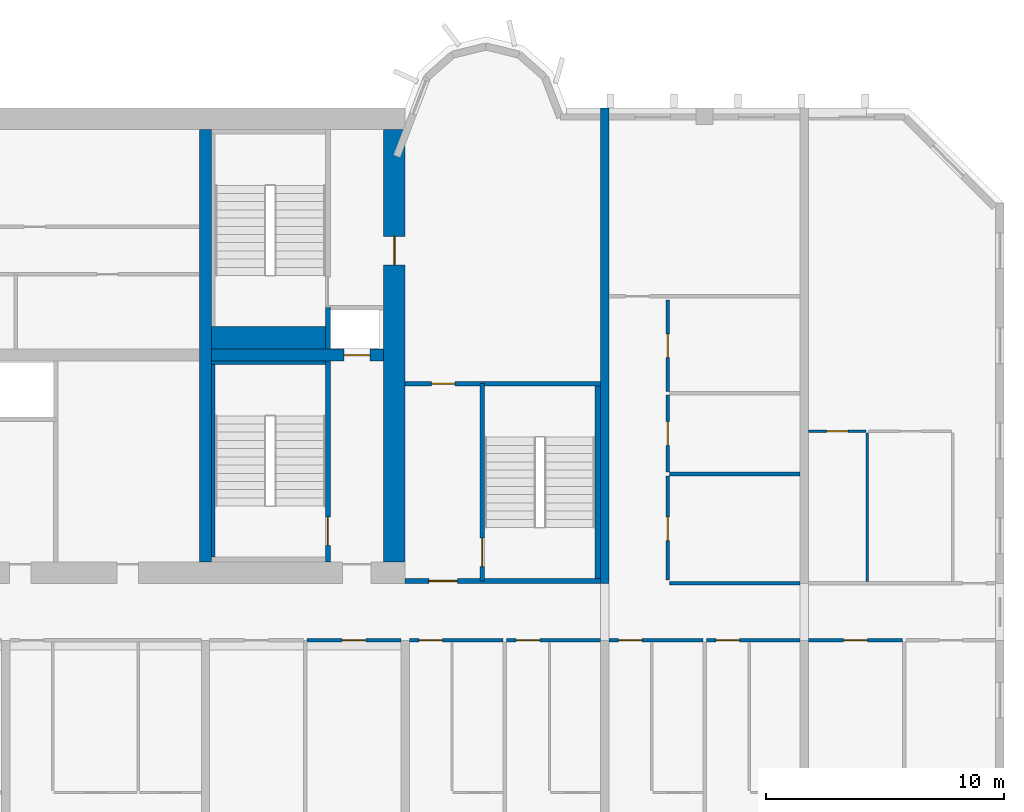
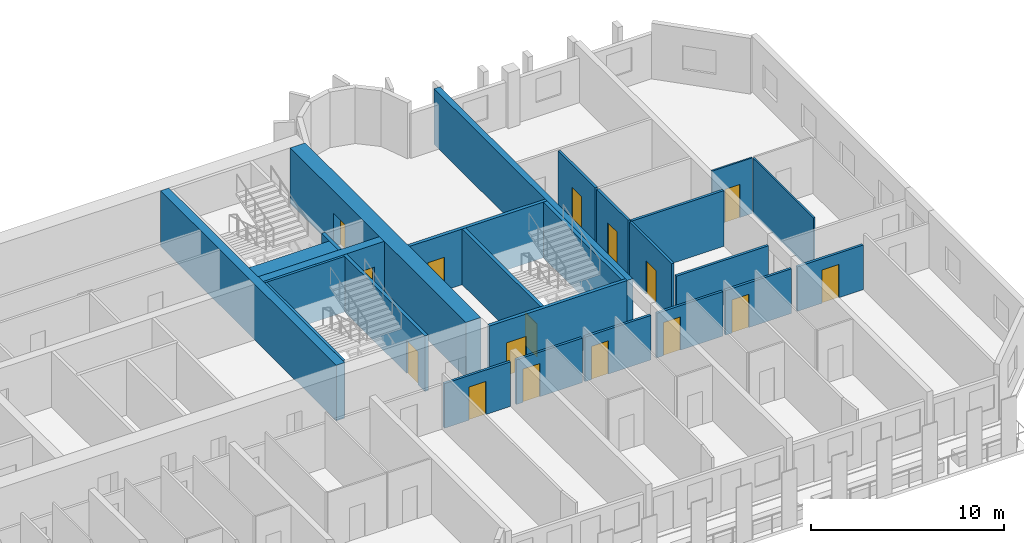
# One storey, part 9 of 14: 26 walls, 16 doors, 16 openings.
"""IFC4 building model written with IfcOpenShell, lengths in metres."""

from ifc_helpers import new_model, si_unit, direction, frame, frame_2d, origin, place, context, subcontext, project, spatial, rectangle, extrude, source, transform, mapped, material, layer, layer_set, type_object, element, fill, save


model = new_model("IFC4")

# Units and contexts
model_context = context("Model", 3, precision=1e-05, world=origin(), true_north=direction((0.0, 1.0)))
body_context = subcontext(model_context, "Body", "Model", "MODEL_VIEW")
ifc_project = project(units=[si_unit("LENGTHUNIT", "METRE"), si_unit("AREAUNIT", "SQUARE_METRE"), si_unit("VOLUMEUNIT", "CUBIC_METRE"), si_unit("PLANEANGLEUNIT", "RADIAN"), si_unit("MASSUNIT", "GRAM", prefix="KILO")], contexts=[model_context])

# Site, building, storey
site_placement = place(None, origin())
site = spatial("IfcSite", under=ifc_project, at=site_placement, CompositionType="ELEMENT")
building_placement = place(site_placement, origin())
building = spatial("IfcBuilding", under=site, at=building_placement, Name="Vanashikhar Sky Hotel", CompositionType="ELEMENT")
storey_placement = place(building_placement, frame((0.0, 0.0, 129.39990234375)))
storey = spatial("IfcBuildingStorey", under=building, at=storey_placement, Name="L31", CompositionType="ELEMENT", Elevation=129.39990234375)

# Wall, opening, door
ifc_material_1 = material(Name="Concrete M70", Category="concrete")
ifc_layer_1 = layer(ifc_material_1, 0.89990234375)
ifc_layer_set_1 = layer_set([ifc_layer_1], Name="RC core shell wall 900 Concrete M70")
wall_type_1 = type_object("IfcWallType", Name="RC core shell wall 900 Concrete M70", PredefinedType="SHEAR", material=ifc_layer_set_1)
shared_shape_1 = source(origin(), body_context, "Body", "SweptSolid", [
    extrude(rectangle(XDim=18.2001953125, YDim=0.89990234375, at=frame_2d((9.10009765625, 0.0))), origin(), (0.0, 0.0, 1.0), 3.52001953125),
])
wall_1_placement = place(storey_placement, frame((75.14990234375, 22.89990234375, 0.0), z_axis=(0.0, 0.0, 1.0), x_axis=(0.0, 1.0, 0.0)))
wall_1 = element("IfcWall", 1, at=wall_1_placement, inside=storey, type_object=wall_type_1, Name="KW-L31-KE", PredefinedType="SHEAR", context=body_context, shape_type="MappedRepresentation", body=[
    mapped(shared_shape_1, transform((0.0, 0.0, 0.0), scale=1.0)),
])
shared_shape_2 = source(origin(), body_context, "Body", "SweptSolid", [
    extrude(rectangle(XDim=1.199951171875, YDim=2.10009765625, at=frame_2d((0.60009765625, 1.050048828125))), frame((0.0, 0.4599609375, 0.0), z_axis=(0.0, -1.0, 0.0), x_axis=(1.0, 0.0, 0.0)), (0.0, 0.0, 1.0), 0.919921875),
])
opening_1_placement = place(wall_1_placement, frame((12.5, 0.0, 0.0)))
opening_1 = element("IfcOpeningElement", 2, at=opening_1_placement, cuts=wall_1, Name="Opening DC-4-D", PredefinedType="OPENING", context=body_context, shape_type="MappedRepresentation", body=[
    mapped(shared_shape_2, transform((0.0, 0.0, 0.0), scale=1.0)),
])
ifc_material_2 = material(Name="Steel", Category="steel")
door_type_1 = type_object("IfcDoorType", Name="Service door 1200 FD120", OperationType="NOTDEFINED", PredefinedType="DOOR", material=ifc_material_2)
shared_shape_3 = source(origin(), body_context, "Body", "SweptSolid", [
    extrude(rectangle(XDim=1.199951171875, YDim=2.10009765625, at=frame_2d((0.60009765625, 1.050048828125))), frame((0.0, 0.02490234375, 0.0), z_axis=(0.0, -1.0, 0.0), x_axis=(1.0, 0.0, 0.0)), (0.0, 0.0, 1.0), 0.050048828125),
])
door_1_placement = place(opening_1_placement, origin())
door_1 = element("IfcDoor", 3, at=door_1_placement, inside=storey, type_object=door_type_1, Name="Service door 1200 FD120", OperationType="SINGLE_SWING_LEFT", OverallHeight=2.10009765625, OverallWidth=1.199951171875, PredefinedType="DOOR", context=body_context, shape_type="MappedRepresentation", body=[
    mapped(shared_shape_3, transform((0.0, 0.0, 0.0), scale=1.0)),
])
fill(opening_1, door_1)

# Wall
ifc_layer_2 = layer(ifc_material_1, 0.5)
ifc_layer_set_2 = layer_set([ifc_layer_2], Name="RC core inner wall 500 Concrete M70")
wall_type_2 = type_object("IfcWallType", Name="RC core inner wall 500 Concrete M70", PredefinedType="SHEAR", material=ifc_layer_set_2)
shared_shape_4 = source(origin(), body_context, "Body", "SweptSolid", [
    extrude(rectangle(XDim=18.2001953125, YDim=0.5, at=frame_2d((9.10009765625, 0.0))), origin(), (0.0, 0.0, 1.0), 3.52001953125),
])
wall_2_placement = place(storey_placement, frame((67.199951171875, 22.89990234375, 0.0), z_axis=(0.0, 0.0, 1.0), x_axis=(0.0, 1.0, 0.0)))
element("IfcWall", 4, at=wall_2_placement, inside=storey, type_object=wall_type_2, Name="KW-L31-KX3", PredefinedType="SHEAR", context=body_context, shape_type="MappedRepresentation", body=[
    mapped(shared_shape_4, transform((0.0, 0.0, 0.0), scale=1.0)),
])

# Wall, opening, door
shared_shape_5 = source(origin(), body_context, "Body", "SweptSolid", [
    extrude(rectangle(XDim=7.25, YDim=0.5, at=frame_2d((3.625, 0.0))), origin(), (0.0, 0.0, 1.0), 3.52001953125),
])
wall_3_placement = place(storey_placement, frame((67.449951171875, 31.60009765625, 0.0), z_axis=(0.0, 0.0, 1.0), x_axis=(1.0, 0.0, 0.0)))
wall_3 = element("IfcWall", 5, at=wall_3_placement, inside=storey, type_object=wall_type_2, Name="KW-L31-KY4", PredefinedType="SHEAR", context=body_context, shape_type="MappedRepresentation", body=[
    mapped(shared_shape_5, transform((0.0, 0.0, 0.0), scale=1.0)),
])
shared_shape_6 = source(origin(), body_context, "Body", "SweptSolid", [
    extrude(rectangle(XDim=1.10009765625, YDim=2.10009765625, at=frame_2d((0.550048828125, 1.050048828125))), frame((0.0, 0.260009765625, 0.0), z_axis=(0.0, -1.0, 0.0), x_axis=(1.0, 0.0, 0.0)), (0.0, 0.0, 1.0), 0.52001953125),
])
opening_2_placement = place(wall_3_placement, frame((5.574951171875, 0.0, 0.0)))
opening_2 = element("IfcOpeningElement", 6, at=opening_2_placement, cuts=wall_3, Name="Opening LD", PredefinedType="OPENING", context=body_context, shape_type="MappedRepresentation", body=[
    mapped(shared_shape_6, transform((0.0, 0.0, 0.0), scale=1.0)),
])
ifc_material_3 = material(Name="Stainless steel", Category="steel")
door_type_2 = type_object("IfcDoorType", Name="Lift landing door 1100", OperationType="NOTDEFINED", PredefinedType="DOOR", material=ifc_material_3)
shared_shape_7 = source(origin(), body_context, "Body", "SweptSolid", [
    extrude(rectangle(XDim=1.10009765625, YDim=2.10009765625, at=frame_2d((0.550048828125, 1.050048828125))), frame((0.0, 0.02490234375, 0.0), z_axis=(0.0, -1.0, 0.0), x_axis=(1.0, 0.0, 0.0)), (0.0, 0.0, 1.0), 0.050048828125),
])
door_2_placement = place(opening_2_placement, origin())
door_2 = element("IfcDoor", 7, at=door_2_placement, inside=storey, type_object=door_type_2, Name="Lift landing door 1100", OperationType="SLIDING_TO_LEFT", OverallHeight=2.10009765625, OverallWidth=1.10009765625, PredefinedType="DOOR", context=body_context, shape_type="MappedRepresentation", body=[
    mapped(shared_shape_7, transform((0.0, 0.0, 0.0), scale=1.0)),
])
fill(opening_2, door_2)

# Wall
ifc_layer_3 = layer(ifc_material_1, 0.35009765625)
ifc_layer_set_3 = layer_set([ifc_layer_3], Name="RC shear wall 350 Concrete M70")
wall_type_3 = type_object("IfcWallType", Name="RC shear wall 350 Concrete M70", PredefinedType="SHEAR", material=ifc_layer_set_3)
shared_shape_8 = source(origin(), body_context, "Body", "SweptSolid", [
    extrude(rectangle(XDim=20.0, YDim=0.35009765625, at=frame_2d((10.0, 0.0))), origin(), (0.0, 0.0, 1.0), 3.52001953125),
])
wall_4_placement = place(storey_placement, frame((84.0, 22.0, 0.0), z_axis=(0.0, 0.0, 1.0), x_axis=(0.0, 1.0, 0.0)))
element("IfcWall", 8, at=wall_4_placement, inside=storey, type_object=wall_type_3, Name="CW-L31-XW11-2", PredefinedType="SHEAR", context=body_context, shape_type="MappedRepresentation", body=[
    mapped(shared_shape_8, transform((0.0, 0.0, 0.0), scale=1.0)),
])

# Wall, opening, door
ifc_material_4 = material(Name="Concrete M50", Category="concrete")
ifc_layer_4 = layer(ifc_material_4, 0.199951171875)
ifc_layer_set_4 = layer_set([ifc_layer_4], Name="Stair wall 200")
wall_type_4 = type_object("IfcWallType", Name="Stair wall 200", PredefinedType="SOLIDWALL", material=ifc_layer_set_4)
shared_shape_9 = source(origin(), body_context, "Body", "SweptSolid", [
    extrude(rectangle(XDim=8.2998046875, YDim=0.199951171875, at=frame_2d((4.14990234375, 0.0))), origin(), (0.0, 0.0, 1.0), 3.52001953125),
])
wall_5_placement = place(storey_placement, frame((78.85009765625, 22.10009765625, 0.0), z_axis=(0.0, 0.0, 1.0), x_axis=(0.0, 1.0, 0.0)))
wall_5 = element("IfcWall", 9, at=wall_5_placement, inside=storey, type_object=wall_type_4, Name="Stair wall 200", PredefinedType="SOLIDWALL", context=body_context, shape_type="MappedRepresentation", body=[
    mapped(shared_shape_9, transform((0.0, 0.0, 0.0), scale=1.0)),
])
shared_shape_10 = source(origin(), body_context, "Body", "SweptSolid", [
    extrude(rectangle(XDim=1.199951171875, YDim=2.10009765625, at=frame_2d((0.60009765625, 1.050048828125))), frame((0.0, 0.10986328125, 0.0), z_axis=(0.0, -1.0, 0.0), x_axis=(1.0, 0.0, 0.0)), (0.0, 0.0, 1.0), 0.219970703125),
])
opening_3_placement = place(wall_5_placement, frame((0.60009765625, 0.0, 0.0)))
opening_3 = element("IfcOpeningElement", 10, at=opening_3_placement, cuts=wall_5, Name="Opening DC-1", PredefinedType="OPENING", context=body_context, shape_type="MappedRepresentation", body=[
    mapped(shared_shape_10, transform((0.0, 0.0, 0.0), scale=1.0)),
])
door_type_3 = type_object("IfcDoorType", Name="Stair door 1200 FD120", OperationType="NOTDEFINED", PredefinedType="DOOR", material=ifc_material_2)
door_3_placement = place(opening_3_placement, origin())
door_3 = element("IfcDoor", 11, at=door_3_placement, inside=storey, type_object=door_type_3, Name="Stair door 1200 FD120", OperationType="SINGLE_SWING_RIGHT", OverallHeight=2.10009765625, OverallWidth=1.199951171875, PredefinedType="DOOR", context=body_context, shape_type="MappedRepresentation", body=[
    mapped(shared_shape_3, transform((0.0, 0.0, 0.0), scale=1.0)),
])
fill(opening_3, door_3)

shared_shape_11 = source(origin(), body_context, "Body", "SweptSolid", [
    extrude(rectangle(XDim=8.4501953125, YDim=0.199951171875, at=frame_2d((4.22509765625, 0.0))), origin(), (0.0, 0.0, 1.0), 3.52001953125),
])
wall_6_placement = place(storey_placement, frame((72.35009765625, 22.89990234375, 0.0), z_axis=(0.0, 0.0, 1.0), x_axis=(0.0, 1.0, 0.0)))
wall_6 = element("IfcWall", 12, at=wall_6_placement, inside=storey, type_object=wall_type_4, Name="Stair wall 200", PredefinedType="SOLIDWALL", context=body_context, shape_type="MappedRepresentation", body=[
    mapped(shared_shape_11, transform((0.0, 0.0, 0.0), scale=1.0)),
])
opening_4_placement = place(wall_6_placement, frame((0.699951171875, 0.0, 0.0)))
opening_4 = element("IfcOpeningElement", 13, at=opening_4_placement, cuts=wall_6, Name="Opening DC-1", PredefinedType="OPENING", context=body_context, shape_type="MappedRepresentation", body=[
    mapped(shared_shape_10, transform((0.0, 0.0, 0.0), scale=1.0)),
])
door_4_placement = place(opening_4_placement, origin())
door_4 = element("IfcDoor", 14, at=door_4_placement, inside=storey, type_object=door_type_3, Name="Stair door 1200 FD120", OperationType="SINGLE_SWING_LEFT", OverallHeight=2.10009765625, OverallWidth=1.199951171875, PredefinedType="DOOR", context=body_context, shape_type="MappedRepresentation", body=[
    mapped(shared_shape_3, transform((0.0, 0.0, 0.0), scale=1.0)),
])
fill(opening_4, door_4)

# Wall
ifc_material_5 = material(Name="Concrete M40", Category="concrete")
ifc_layer_5 = layer(ifc_material_5, 0.199951171875)
ifc_layer_set_5 = layer_set([ifc_layer_5], Name="Shaft wall 200")
wall_type_5 = type_object("IfcWallType", Name="Shaft wall 200", PredefinedType="SOLIDWALL", material=ifc_layer_set_5)
shared_shape_12 = source(origin(), body_context, "Body", "SweptSolid", [
    extrude(rectangle(XDim=1.75, YDim=0.199951171875, at=frame_2d((0.875, 0.0))), origin(), (0.0, 0.0, 1.0), 3.52001953125),
])
wall_7_placement = place(storey_placement, frame((72.35009765625, 31.85009765625, 0.0), z_axis=(0.0, 0.0, 1.0), x_axis=(0.0, 1.0, 0.0)))
element("IfcWall", 15, at=wall_7_placement, inside=storey, type_object=wall_type_5, Name="Shaft wall 200", PredefinedType="SOLIDWALL", context=body_context, shape_type="MappedRepresentation", body=[
    mapped(shared_shape_12, transform((0.0, 0.0, 0.0), scale=1.0)),
])

# Wall, opening, door
shared_shape_13 = source(origin(), body_context, "Body", "SweptSolid", [
    extrude(rectangle(XDim=8.224853515625, YDim=0.199951171875, at=frame_2d((4.1123046875, 0.0))), origin(), (0.0, 0.0, 1.0), 3.52001953125),
])
wall_8_placement = place(storey_placement, frame((83.824951171875, 22.10009765625, 0.0), z_axis=(0.0, 0.0, 1.0), x_axis=(-1.0, 0.0, 0.0)))
wall_8 = element("IfcWall", 16, at=wall_8_placement, inside=storey, type_object=wall_type_4, Name="Stair wall 200", PredefinedType="SOLIDWALL", context=body_context, shape_type="MappedRepresentation", body=[
    mapped(shared_shape_13, transform((0.0, 0.0, 0.0), scale=1.0)),
])
opening_5_placement = place(wall_8_placement, frame((6.02490234375, 0.0, 0.0)))
opening_5 = element("IfcOpeningElement", 17, at=opening_5_placement, cuts=wall_8, Name="Opening DC-2", PredefinedType="OPENING", context=body_context, shape_type="MappedRepresentation", body=[
    mapped(shared_shape_10, transform((0.0, 0.0, 0.0), scale=1.0)),
])
door_type_4 = type_object("IfcDoorType", Name="Firefighting lobby door 1200 FD120", OperationType="NOTDEFINED", PredefinedType="DOOR", material=ifc_material_2)
door_5_placement = place(opening_5_placement, origin())
door_5 = element("IfcDoor", 18, at=door_5_placement, inside=storey, type_object=door_type_4, Name="Firefighting lobby door 1200 FD120", OperationType="SINGLE_SWING_LEFT", OverallHeight=2.10009765625, OverallWidth=1.199951171875, PredefinedType="DOOR", context=body_context, shape_type="MappedRepresentation", body=[
    mapped(shared_shape_3, transform((0.0, 0.0, 0.0), scale=1.0)),
])
fill(opening_5, door_5)

wall_9_placement = place(storey_placement, frame((83.824951171875, 30.39990234375, 0.0), z_axis=(0.0, 0.0, 1.0), x_axis=(-1.0, 0.0, 0.0)))
wall_9 = element("IfcWall", 19, at=wall_9_placement, inside=storey, type_object=wall_type_4, Name="Stair wall 200", PredefinedType="SOLIDWALL", context=body_context, shape_type="MappedRepresentation", body=[
    mapped(shared_shape_13, transform((0.0, 0.0, 0.0), scale=1.0)),
])
shared_shape_14 = source(origin(), body_context, "Body", "SweptSolid", [
    extrude(rectangle(XDim=1.0, YDim=2.10009765625, at=frame_2d((0.5, 1.050048828125))), frame((0.0, 0.10986328125, 0.0), z_axis=(0.0, -1.0, 0.0), x_axis=(1.0, 0.0, 0.0)), (0.0, 0.0, 1.0), 0.219970703125),
])
opening_6_placement = place(wall_9_placement, frame((6.125, 0.0, 0.0)))
opening_6 = element("IfcOpeningElement", 20, at=opening_6_placement, cuts=wall_9, Name="Opening DC-6", PredefinedType="OPENING", context=body_context, shape_type="MappedRepresentation", body=[
    mapped(shared_shape_14, transform((0.0, 0.0, 0.0), scale=1.0)),
])
door_type_5 = type_object("IfcDoorType", Name="Pocket door 1000 FD60", OperationType="NOTDEFINED", PredefinedType="DOOR", material=ifc_material_2)
shared_shape_15 = source(origin(), body_context, "Body", "SweptSolid", [
    extrude(rectangle(XDim=1.0, YDim=2.10009765625, at=frame_2d((0.5, 1.050048828125))), frame((0.0, 0.02490234375, 0.0), z_axis=(0.0, -1.0, 0.0), x_axis=(1.0, 0.0, 0.0)), (0.0, 0.0, 1.0), 0.050048828125),
])
door_6_placement = place(opening_6_placement, origin())
door_6 = element("IfcDoor", 21, at=door_6_placement, inside=storey, type_object=door_type_5, Name="Pocket door 1000 FD60", OperationType="SINGLE_SWING_LEFT", OverallHeight=2.10009765625, OverallWidth=1.0, PredefinedType="DOOR", context=body_context, shape_type="MappedRepresentation", body=[
    mapped(shared_shape_15, transform((0.0, 0.0, 0.0), scale=1.0)),
])
fill(opening_6, door_6)

# Walls
ifc_layer_6 = layer(ifc_material_4, 0.14990234375)
ifc_layer_set_6 = layer_set([ifc_layer_6], Name="Stair infill wall 150")
wall_type_6 = type_object("IfcWallType", Name="Stair infill wall 150", PredefinedType="SOLIDWALL", material=ifc_layer_set_6)
shared_shape_16 = source(origin(), body_context, "Body", "SweptSolid", [
    extrude(rectangle(XDim=4.800048828125, YDim=0.14990234375, at=frame_2d((2.39990234375, 0.0))), origin(), (0.0, 0.0, 1.0), 3.52001953125),
])
wall_10_placement = place(storey_placement, frame((67.449951171875, 31.27490234375, 0.0), z_axis=(0.0, 0.0, 1.0), x_axis=(1.0, 0.0, 0.0)))
element("IfcWall", 22, at=wall_10_placement, inside=storey, type_object=wall_type_6, Name="Stair infill wall 150", PredefinedType="SOLIDWALL", context=body_context, shape_type="MappedRepresentation", body=[
    mapped(shared_shape_16, transform((0.0, 0.0, 0.0), scale=1.0)),
])
shared_shape_17 = source(origin(), body_context, "Body", "SweptSolid", [
    extrude(rectangle(XDim=8.099853515625, YDim=0.14990234375, at=frame_2d((4.0498046875, 0.0))), origin(), (0.0, 0.0, 1.0), 3.52001953125),
])
wall_11_placement = place(storey_placement, frame((67.52490234375, 23.10009765625, 0.0), z_axis=(0.0, 0.0, 1.0), x_axis=(0.0, 1.0, 0.0)))
element("IfcWall", 23, at=wall_11_placement, inside=storey, type_object=wall_type_6, Name="Stair infill wall 150", PredefinedType="SOLIDWALL", context=body_context, shape_type="MappedRepresentation", body=[
    mapped(shared_shape_17, transform((0.0, 0.0, 0.0), scale=1.0)),
])
ifc_layer_7 = layer(ifc_material_4, 0.22509765625)
ifc_layer_set_7 = layer_set([ifc_layer_7], Name="Stair infill wall 225")
wall_type_7 = type_object("IfcWallType", Name="Stair infill wall 225", PredefinedType="SOLIDWALL", material=ifc_layer_set_7)
shared_shape_18 = source(origin(), body_context, "Body", "SweptSolid", [
    extrude(rectangle(XDim=8.10009765625, YDim=0.22509765625, at=frame_2d((4.050048828125, 0.0))), origin(), (0.0, 0.0, 1.0), 3.52001953125),
])
wall_12_placement = place(storey_placement, frame((83.712890625, 22.199951171875, 0.0), z_axis=(0.0, 0.0, 1.0), x_axis=(0.0, 1.0, 0.0)))
element("IfcWall", 24, at=wall_12_placement, inside=storey, type_object=wall_type_7, Name="Stair infill wall 225", PredefinedType="SOLIDWALL", context=body_context, shape_type="MappedRepresentation", body=[
    mapped(shared_shape_18, transform((0.0, 0.0, 0.0), scale=1.0)),
])
ifc_layer_8 = layer(ifc_material_4, 0.949951171875)
ifc_layer_set_8 = layer_set([ifc_layer_8], Name="Stair infill wall 950")
wall_type_8 = type_object("IfcWallType", Name="Stair infill wall 950", PredefinedType="SOLIDWALL", material=ifc_layer_set_8)
shared_shape_19 = source(origin(), body_context, "Body", "SweptSolid", [
    extrude(rectangle(XDim=4.800048828125, YDim=0.949951171875, at=frame_2d((2.39990234375, 0.0))), origin(), (0.0, 0.0, 1.0), 3.52001953125),
])
wall_13_placement = place(storey_placement, frame((67.449951171875, 32.324951171875, 0.0), z_axis=(0.0, 0.0, 1.0), x_axis=(1.0, 0.0, 0.0)))
element("IfcWall", 25, at=wall_13_placement, inside=storey, type_object=wall_type_8, Name="Stair infill wall 950", PredefinedType="SOLIDWALL", context=body_context, shape_type="MappedRepresentation", body=[
    mapped(shared_shape_19, transform((0.0, 0.0, 0.0), scale=1.0)),
])

# Wall, opening, door
ifc_material_6 = material(Name="Gypsum plasterboard partition")
ifc_layer_9 = layer(ifc_material_6, 0.14990234375)
ifc_layer_set_9 = layer_set([ifc_layer_9], Name="Corridor and demising partition 150")
wall_type_9 = type_object("IfcWallType", Name="Corridor and demising partition 150", PredefinedType="PARTITIONING", material=ifc_layer_set_9)
shared_shape_20 = source(origin(), body_context, "Body", "SweptSolid", [
    extrude(rectangle(XDim=4.375, YDim=0.14990234375, at=frame_2d((2.1875, 0.0))), origin(), (0.0, 0.0, 1.0), 3.52001953125),
])
wall_14_placement = place(storey_placement, frame((86.64990234375, 22.14990234375, 0.0), z_axis=(0.0, 0.0, 1.0), x_axis=(0.0, 1.0, 0.0)))
wall_14 = element("IfcWall", 26, at=wall_14_placement, inside=storey, type_object=wall_type_9, Name="W-L31-PW084", PredefinedType="PARTITIONING", context=body_context, shape_type="MappedRepresentation", body=[
    mapped(shared_shape_20, transform((0.0, 0.0, 0.0), scale=1.0)),
])
shared_shape_21 = source(origin(), body_context, "Body", "SweptSolid", [
    extrude(rectangle(XDim=1.0, YDim=2.10009765625, at=frame_2d((0.5, 1.050048828125))), frame((0.0, 0.0849609375, 0.0), z_axis=(0.0, -1.0, 0.0), x_axis=(1.0, 0.0, 0.0)), (0.0, 0.0, 1.0), 0.169921875),
])
opening_7_placement = place(wall_14_placement, frame((1.64990234375, 0.0, 0.0)))
opening_7 = element("IfcOpeningElement", 27, at=opening_7_placement, cuts=wall_14, Name="Opening D-01", PredefinedType="OPENING", context=body_context, shape_type="MappedRepresentation", body=[
    mapped(shared_shape_21, transform((0.0, 0.0, 0.0), scale=1.0)),
])
ifc_material_7 = material(Name="Timber fire door", Category="wood")
door_type_6 = type_object("IfcDoorType", Name="Guest entry door 1000 FD30S", OperationType="NOTDEFINED", PredefinedType="DOOR", material=ifc_material_7)
door_7_placement = place(opening_7_placement, origin())
door_7 = element("IfcDoor", 28, at=door_7_placement, inside=storey, type_object=door_type_6, Name="D-L31-048", OperationType="SINGLE_SWING_LEFT", OverallHeight=2.10009765625, OverallWidth=1.0, PredefinedType="DOOR", context=body_context, shape_type="MappedRepresentation", body=[
    mapped(shared_shape_15, transform((0.0, 0.0, 0.0), scale=1.0)),
])
fill(opening_7, door_7)

shared_shape_22 = source(origin(), body_context, "Body", "SweptSolid", [
    extrude(rectangle(XDim=3.25, YDim=0.14990234375, at=frame_2d((1.625, 0.0))), origin(), (0.0, 0.0, 1.0), 3.52001953125),
])
wall_15_placement = place(storey_placement, frame((86.64990234375, 26.675048828125, 0.0), z_axis=(0.0, 0.0, 1.0), x_axis=(0.0, 1.0, 0.0)))
wall_15 = element("IfcWall", 29, at=wall_15_placement, inside=storey, type_object=wall_type_9, Name="W-L31-PW086", PredefinedType="PARTITIONING", context=body_context, shape_type="MappedRepresentation", body=[
    mapped(shared_shape_22, transform((0.0, 0.0, 0.0), scale=1.0)),
])
opening_8_placement = place(wall_15_placement, frame((1.125, 0.0, 0.0)))
opening_8 = element("IfcOpeningElement", 30, at=opening_8_placement, cuts=wall_15, Name="Opening D-01", PredefinedType="OPENING", context=body_context, shape_type="MappedRepresentation", body=[
    mapped(shared_shape_21, transform((0.0, 0.0, 0.0), scale=1.0)),
])
door_8_placement = place(opening_8_placement, origin())
door_8 = element("IfcDoor", 31, at=door_8_placement, inside=storey, type_object=door_type_6, Name="D-L31-049", OperationType="SINGLE_SWING_LEFT", OverallHeight=2.10009765625, OverallWidth=1.0, PredefinedType="DOOR", context=body_context, shape_type="MappedRepresentation", body=[
    mapped(shared_shape_15, transform((0.0, 0.0, 0.0), scale=1.0)),
])
fill(opening_8, door_8)

shared_shape_23 = source(origin(), body_context, "Body", "SweptSolid", [
    extrude(rectangle(XDim=3.85009765625, YDim=0.14990234375, at=frame_2d((1.925048828125, 0.0))), origin(), (0.0, 0.0, 1.0), 3.52001953125),
])
wall_16_placement = place(storey_placement, frame((86.64990234375, 30.074951171875, 0.0), z_axis=(0.0, 0.0, 1.0), x_axis=(0.0, 1.0, 0.0)))
wall_16 = element("IfcWall", 32, at=wall_16_placement, inside=storey, type_object=wall_type_9, Name="W-L31-PW088", PredefinedType="PARTITIONING", context=body_context, shape_type="MappedRepresentation", body=[
    mapped(shared_shape_23, transform((0.0, 0.0, 0.0), scale=1.0)),
])
opening_9_placement = place(wall_16_placement, frame((1.425048828125, 0.0, 0.0)))
opening_9 = element("IfcOpeningElement", 33, at=opening_9_placement, cuts=wall_16, Name="Opening D-01", PredefinedType="OPENING", context=body_context, shape_type="MappedRepresentation", body=[
    mapped(shared_shape_21, transform((0.0, 0.0, 0.0), scale=1.0)),
])
door_9_placement = place(opening_9_placement, origin())
door_9 = element("IfcDoor", 34, at=door_9_placement, inside=storey, type_object=door_type_6, Name="D-L31-050", OperationType="SINGLE_SWING_LEFT", OverallHeight=2.10009765625, OverallWidth=1.0, PredefinedType="DOOR", context=body_context, shape_type="MappedRepresentation", body=[
    mapped(shared_shape_15, transform((0.0, 0.0, 0.0), scale=1.0)),
])
fill(opening_9, door_9)

# Wall
ifc_layer_10 = layer(ifc_material_6, 0.10009765625)
ifc_layer_set_10 = layer_set([ifc_layer_10], Name="Wet room partition 100")
wall_type_10 = type_object("IfcWallType", Name="Wet room partition 100", PredefinedType="PARTITIONING", material=ifc_layer_set_10)
shared_shape_24 = source(origin(), body_context, "Body", "SweptSolid", [
    extrude(rectangle(XDim=6.25, YDim=0.10009765625, at=frame_2d((3.125, 0.0))), origin(), (0.0, 0.0, 1.0), 3.52001953125),
])
wall_17_placement = place(storey_placement, frame((95.050048828125, 22.074951171875, 0.0), z_axis=(0.0, 0.0, 1.0), x_axis=(0.0, 1.0, 0.0)))
element("IfcWall", 35, at=wall_17_placement, inside=storey, type_object=wall_type_10, Name="W-L31-PW091", PredefinedType="PARTITIONING", context=body_context, shape_type="MappedRepresentation", body=[
    mapped(shared_shape_24, transform((0.0, 0.0, 0.0), scale=1.0)),
])

# Wall, opening, door
shared_shape_25 = source(origin(), body_context, "Body", "SweptSolid", [
    extrude(rectangle(XDim=3.9501953125, YDim=0.14990234375, at=frame_2d((1.97509765625, 0.0))), origin(), (0.0, 0.0, 1.0), 2.820068359375),
])
wall_18_placement = place(storey_placement, frame((75.77490234375, 19.60009765625, 0.0), z_axis=(0.0, 0.0, 1.0), x_axis=(1.0, 0.0, 0.0)))
wall_18 = element("IfcWall", 36, at=wall_18_placement, inside=storey, type_object=wall_type_9, Name="W-L31-PW054", PredefinedType="PARTITIONING", context=body_context, shape_type="MappedRepresentation", body=[
    mapped(shared_shape_25, transform((0.0, 0.0, 0.0), scale=1.0)),
])
opening_10_placement = place(wall_18_placement, frame((0.39990234375, 0.0, 0.0)))
opening_10 = element("IfcOpeningElement", 37, at=opening_10_placement, cuts=wall_18, Name="Opening D-01", PredefinedType="OPENING", context=body_context, shape_type="MappedRepresentation", body=[
    mapped(shared_shape_21, transform((0.0, 0.0, 0.0), scale=1.0)),
])
door_10_placement = place(opening_10_placement, origin())
door_10 = element("IfcDoor", 38, at=door_10_placement, inside=storey, type_object=door_type_6, Name="D-L31-032", OperationType="SINGLE_SWING_LEFT", OverallHeight=2.10009765625, OverallWidth=1.0, PredefinedType="DOOR", context=body_context, shape_type="MappedRepresentation", body=[
    mapped(shared_shape_15, transform((0.0, 0.0, 0.0), scale=1.0)),
])
fill(opening_10, door_10)

wall_19_placement = place(storey_placement, frame((88.27490234375, 19.60009765625, 0.0), z_axis=(0.0, 0.0, 1.0), x_axis=(1.0, 0.0, 0.0)))
wall_19 = element("IfcWall", 39, at=wall_19_placement, inside=storey, type_object=wall_type_9, Name="W-L31-PW064", PredefinedType="PARTITIONING", context=body_context, shape_type="MappedRepresentation", body=[
    mapped(shared_shape_25, transform((0.0, 0.0, 0.0), scale=1.0)),
])
opening_11_placement = place(wall_19_placement, frame((0.39990234375, 0.0, 0.0)))
opening_11 = element("IfcOpeningElement", 40, at=opening_11_placement, cuts=wall_19, Name="Opening D-01", PredefinedType="OPENING", context=body_context, shape_type="MappedRepresentation", body=[
    mapped(shared_shape_21, transform((0.0, 0.0, 0.0), scale=1.0)),
])
door_11_placement = place(opening_11_placement, origin())
door_11 = element("IfcDoor", 41, at=door_11_placement, inside=storey, type_object=door_type_6, Name="D-L31-038", OperationType="SINGLE_SWING_LEFT", OverallHeight=2.10009765625, OverallWidth=1.0, PredefinedType="DOOR", context=body_context, shape_type="MappedRepresentation", body=[
    mapped(shared_shape_15, transform((0.0, 0.0, 0.0), scale=1.0)),
])
fill(opening_11, door_11)

shared_shape_26 = source(origin(), body_context, "Body", "SweptSolid", [
    extrude(rectangle(XDim=3.949951171875, YDim=0.14990234375, at=frame_2d((1.97509765625, 0.0))), origin(), (0.0, 0.0, 1.0), 2.820068359375),
])
wall_20_placement = place(storey_placement, frame((71.47509765625, 19.60009765625, 0.0), z_axis=(0.0, 0.0, 1.0), x_axis=(1.0, 0.0, 0.0)))
wall_20 = element("IfcWall", 42, at=wall_20_placement, inside=storey, type_object=wall_type_9, Name="W-L31-PW050", PredefinedType="PARTITIONING", context=body_context, shape_type="MappedRepresentation", body=[
    mapped(shared_shape_26, transform((0.0, 0.0, 0.0), scale=1.0)),
])
opening_12_placement = place(wall_20_placement, frame((1.47509765625, 0.0, 0.0)))
opening_12 = element("IfcOpeningElement", 43, at=opening_12_placement, cuts=wall_20, Name="Opening D-01", PredefinedType="OPENING", context=body_context, shape_type="MappedRepresentation", body=[
    mapped(shared_shape_21, transform((0.0, 0.0, 0.0), scale=1.0)),
])
door_12_placement = place(opening_12_placement, origin())
door_12 = element("IfcDoor", 44, at=door_12_placement, inside=storey, type_object=door_type_6, Name="D-L31-030", OperationType="SINGLE_SWING_RIGHT", OverallHeight=2.10009765625, OverallWidth=1.0, PredefinedType="DOOR", context=body_context, shape_type="MappedRepresentation", body=[
    mapped(shared_shape_15, transform((0.0, 0.0, 0.0), scale=1.0)),
])
fill(opening_12, door_12)

wall_21_placement = place(storey_placement, frame((79.875, 19.60009765625, 0.0), z_axis=(0.0, 0.0, 1.0), x_axis=(1.0, 0.0, 0.0)))
wall_21 = element("IfcWall", 45, at=wall_21_placement, inside=storey, type_object=wall_type_9, Name="W-L31-PW057", PredefinedType="PARTITIONING", context=body_context, shape_type="MappedRepresentation", body=[
    mapped(shared_shape_26, transform((0.0, 0.0, 0.0), scale=1.0)),
])
opening_13_placement = place(wall_21_placement, frame((0.39990234375, 0.0, 0.0)))
opening_13 = element("IfcOpeningElement", 46, at=opening_13_placement, cuts=wall_21, Name="Opening D-01", PredefinedType="OPENING", context=body_context, shape_type="MappedRepresentation", body=[
    mapped(shared_shape_21, transform((0.0, 0.0, 0.0), scale=1.0)),
])
door_13_placement = place(opening_13_placement, origin())
door_13 = element("IfcDoor", 47, at=door_13_placement, inside=storey, type_object=door_type_6, Name="D-L31-034", OperationType="SINGLE_SWING_LEFT", OverallHeight=2.10009765625, OverallWidth=1.0, PredefinedType="DOOR", context=body_context, shape_type="MappedRepresentation", body=[
    mapped(shared_shape_15, transform((0.0, 0.0, 0.0), scale=1.0)),
])
fill(opening_13, door_13)

wall_22_placement = place(storey_placement, frame((84.175048828125, 19.60009765625, 0.0), z_axis=(0.0, 0.0, 1.0), x_axis=(1.0, 0.0, 0.0)))
wall_22 = element("IfcWall", 48, at=wall_22_placement, inside=storey, type_object=wall_type_9, Name="W-L31-PW061", PredefinedType="PARTITIONING", context=body_context, shape_type="MappedRepresentation", body=[
    mapped(shared_shape_26, transform((0.0, 0.0, 0.0), scale=1.0)),
])
opening_14_placement = place(wall_22_placement, frame((0.39990234375, 0.0, 0.0)))
opening_14 = element("IfcOpeningElement", 49, at=opening_14_placement, cuts=wall_22, Name="Opening D-01", PredefinedType="OPENING", context=body_context, shape_type="MappedRepresentation", body=[
    mapped(shared_shape_21, transform((0.0, 0.0, 0.0), scale=1.0)),
])
door_14_placement = place(opening_14_placement, origin())
door_14 = element("IfcDoor", 50, at=door_14_placement, inside=storey, type_object=door_type_6, Name="D-L31-036", OperationType="SINGLE_SWING_LEFT", OverallHeight=2.10009765625, OverallWidth=1.0, PredefinedType="DOOR", context=body_context, shape_type="MappedRepresentation", body=[
    mapped(shared_shape_15, transform((0.0, 0.0, 0.0), scale=1.0)),
])
fill(opening_14, door_14)

wall_23_placement = place(storey_placement, frame((92.574951171875, 19.60009765625, 0.0), z_axis=(0.0, 0.0, 1.0), x_axis=(1.0, 0.0, 0.0)))
wall_23 = element("IfcWall", 51, at=wall_23_placement, inside=storey, type_object=wall_type_9, Name="W-L31-PW066", PredefinedType="PARTITIONING", context=body_context, shape_type="MappedRepresentation", body=[
    mapped(shared_shape_26, transform((0.0, 0.0, 0.0), scale=1.0)),
])
opening_15_placement = place(wall_23_placement, frame((1.47509765625, 0.0, 0.0)))
opening_15 = element("IfcOpeningElement", 52, at=opening_15_placement, cuts=wall_23, Name="Opening D-01", PredefinedType="OPENING", context=body_context, shape_type="MappedRepresentation", body=[
    mapped(shared_shape_21, transform((0.0, 0.0, 0.0), scale=1.0)),
])
door_15_placement = place(opening_15_placement, origin())
door_15 = element("IfcDoor", 53, at=door_15_placement, inside=storey, type_object=door_type_6, Name="D-L31-039", OperationType="SINGLE_SWING_LEFT", OverallHeight=2.10009765625, OverallWidth=1.0, PredefinedType="DOOR", context=body_context, shape_type="MappedRepresentation", body=[
    mapped(shared_shape_15, transform((0.0, 0.0, 0.0), scale=1.0)),
])
fill(opening_15, door_15)

# Walls
shared_shape_27 = source(origin(), body_context, "Body", "SweptSolid", [
    extrude(rectangle(XDim=5.5, YDim=0.14990234375, at=frame_2d((2.75, 0.0))), origin(), (0.0, 0.0, 1.0), 2.820068359375),
])
wall_24_placement = place(storey_placement, frame((86.72509765625, 22.0, 0.0), z_axis=(0.0, 0.0, 1.0), x_axis=(1.0, 0.0, 0.0)))
element("IfcWall", 54, at=wall_24_placement, inside=storey, type_object=wall_type_9, Name="W-L31-PW083", PredefinedType="PARTITIONING", context=body_context, shape_type="MappedRepresentation", body=[
    mapped(shared_shape_27, transform((0.0, 0.0, 0.0), scale=1.0)),
])
shared_shape_28 = source(origin(), body_context, "Body", "SweptSolid", [
    extrude(rectangle(XDim=5.5, YDim=0.14990234375, at=frame_2d((2.75, 0.0))), origin(), (0.0, 0.0, 1.0), 3.52001953125),
])
wall_25_placement = place(storey_placement, frame((86.72509765625, 26.60009765625, 0.0), z_axis=(0.0, 0.0, 1.0), x_axis=(1.0, 0.0, 0.0)))
element("IfcWall", 55, at=wall_25_placement, inside=storey, type_object=wall_type_9, Name="W-L31-PW085", PredefinedType="PARTITIONING", context=body_context, shape_type="MappedRepresentation", body=[
    mapped(shared_shape_28, transform((0.0, 0.0, 0.0), scale=1.0)),
])

# Wall, opening, door
shared_shape_29 = source(origin(), body_context, "Body", "SweptSolid", [
    extrude(rectangle(XDim=2.425048828125, YDim=0.10009765625, at=frame_2d((1.21240234375, 0.0))), origin(), (0.0, 0.0, 1.0), 3.52001953125),
])
wall_26_placement = place(storey_placement, frame((92.574951171875, 28.39990234375, 0.0), z_axis=(0.0, 0.0, 1.0), x_axis=(1.0, 0.0, 0.0)))
wall_26 = element("IfcWall", 56, at=wall_26_placement, inside=storey, type_object=wall_type_10, Name="W-L31-PW093", PredefinedType="PARTITIONING", context=body_context, shape_type="MappedRepresentation", body=[
    mapped(shared_shape_29, transform((0.0, 0.0, 0.0), scale=1.0)),
])
shared_shape_30 = source(origin(), body_context, "Body", "SweptSolid", [
    extrude(rectangle(XDim=0.89990234375, YDim=2.10009765625, at=frame_2d((0.449951171875, 1.050048828125))), frame((0.0, 0.06005859375, 0.0), z_axis=(0.0, -1.0, 0.0), x_axis=(1.0, 0.0, 0.0)), (0.0, 0.0, 1.0), 0.1201171875),
])
opening_16_placement = place(wall_26_placement, frame((0.762939453125, 0.0, 0.0)))
opening_16 = element("IfcOpeningElement", 57, at=opening_16_placement, cuts=wall_26, Name="Opening D-02", PredefinedType="OPENING", context=body_context, shape_type="MappedRepresentation", body=[
    mapped(shared_shape_30, transform((0.0, 0.0, 0.0), scale=1.0)),
])
ifc_material_8 = material(Name="Timber door", Category="wood")
door_type_7 = type_object("IfcDoorType", Name="Internal door 900", OperationType="NOTDEFINED", PredefinedType="DOOR", material=ifc_material_8)
shared_shape_31 = source(origin(), body_context, "Body", "SweptSolid", [
    extrude(rectangle(XDim=0.89990234375, YDim=2.10009765625, at=frame_2d((0.449951171875, 1.050048828125))), frame((0.0, 0.02490234375, 0.0), z_axis=(0.0, -1.0, 0.0), x_axis=(1.0, 0.0, 0.0)), (0.0, 0.0, 1.0), 0.050048828125),
])
door_16_placement = place(opening_16_placement, origin())
door_16 = element("IfcDoor", 58, at=door_16_placement, inside=storey, type_object=door_type_7, Name="D-L31-053", OperationType="SINGLE_SWING_RIGHT", OverallHeight=2.10009765625, OverallWidth=0.89990234375, PredefinedType="DOOR", context=body_context, shape_type="MappedRepresentation", body=[
    mapped(shared_shape_31, transform((0.0, 0.0, 0.0), scale=1.0)),
])
fill(opening_16, door_16)

save(model, "model.ifc")
